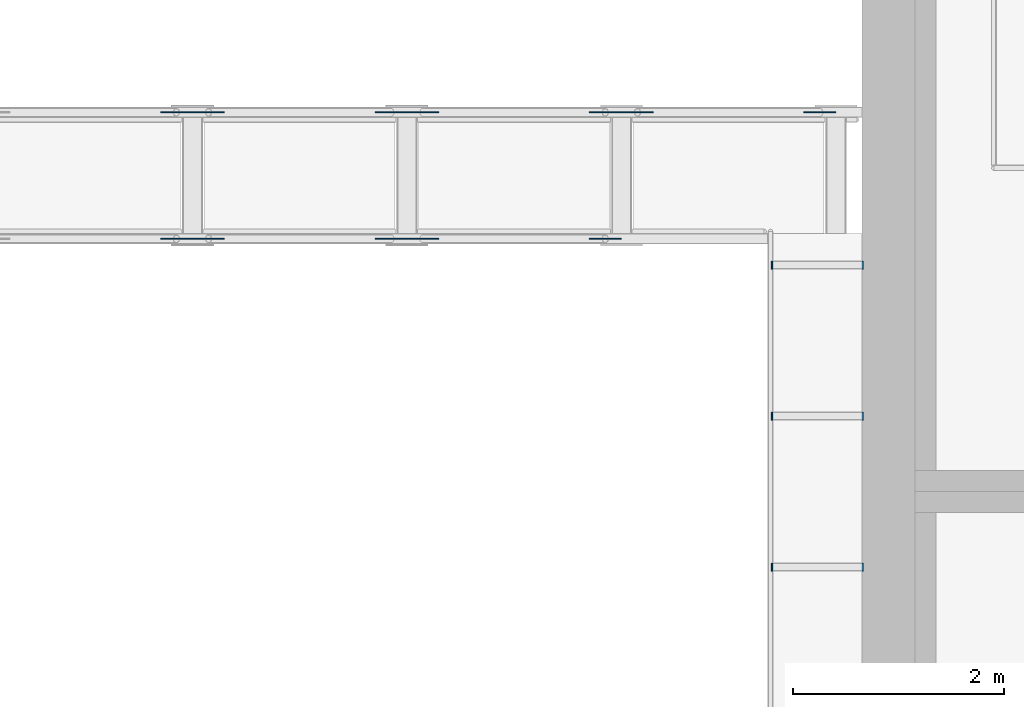
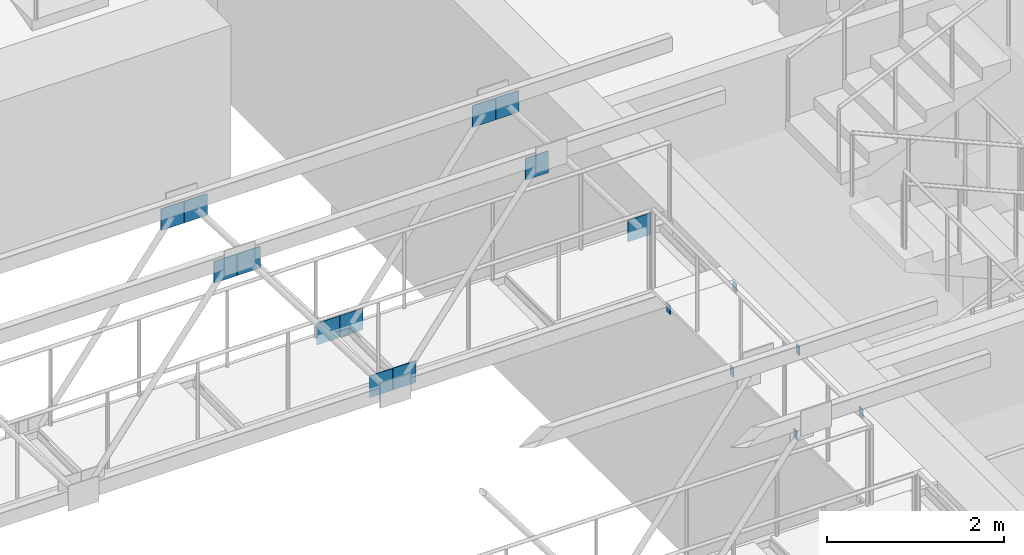
# One storey, part 48 of 70: 18 discrete accessories.
"""IFC4 building model written with IfcOpenShell, lengths in metres."""

from ifc_helpers import new_model, si_unit, direction, frame, origin, origin_2d, place, context, subcontext, project, spatial, rectangle, extrude, material, material_profile, profile_set, type_object, element, save


model = new_model("IFC4")

# Units and contexts
model_context = context("Model", 3, precision=1e-05, world=origin(), true_north=direction((0.0, 1.0)))
body_context = subcontext(model_context, "Body", "Model", "MODEL_VIEW")
ifc_project = project(units=[si_unit("LENGTHUNIT", "METRE"), si_unit("AREAUNIT", "SQUARE_METRE"), si_unit("VOLUMEUNIT", "CUBIC_METRE"), si_unit("PLANEANGLEUNIT", "RADIAN"), si_unit("MASSUNIT", "GRAM", prefix="KILO")], contexts=[model_context])

# Site, building, storey
site_placement = place(None, origin())
site = spatial("IfcSite", under=ifc_project, at=site_placement, CompositionType="ELEMENT")
building_placement = place(site_placement, origin())
building = spatial("IfcBuilding", under=site, at=building_placement, Name="Saffron Lane Theatres", CompositionType="ELEMENT")
storey_placement = place(building_placement, frame((0.0, 0.0, 12.0)))
storey = spatial("IfcBuildingStorey", under=building, at=storey_placement, Name="L02", CompositionType="ELEMENT", Elevation=12.0)

# Discrete accessories
ifc_material_1 = material(Name="Steel Grade 350", Category="steel")
ifc_material_profile_1 = material_profile(ifc_material_1, rectangle(XDim=0.300048828125, YDim=0.300048828125, at=origin_2d()))
ifc_profile_set_1 = profile_set([ifc_material_profile_1], Name="Steel Grade 350")
discrete_accessory_type_1 = type_object("IfcDiscreteAccessoryType", Name="ST-GUSSET CONNECTION PLATE", PredefinedType="BRACKET", material=ifc_profile_set_1)
for number, where, z_axis, x_axis, name in (
    (1, (40.990234375, 68.39501953125, 6.777099609375), (0.0, 1.0, 0.0), (-1.0, 0.0, 0.0), "GB544"),
    (2, (41.295654296875, 68.39501953125, 6.777099609375), (0.0, 1.0, 0.0), (-1.0, 0.0, 0.0), "GB545"),
    (3, (43.02587890625, 68.39501953125, 4.48291015625), (0.0, 1.0, 0.0), (-1.0, 0.0, 0.0), "GB546"),
    (4, (43.331298828125, 68.39501953125, 4.48291015625), (0.0, 1.0, 0.0), (-1.0, 0.0, 0.0), "GB547"),
    (5, (45.0615234375, 68.39501953125, 6.777099609375), (0.0, 1.0, 0.0), (-1.0, 0.0, 0.0), "GB548"),
    (6, (40.990234375, 69.594970703125, 6.777099609375), (0.0, 1.0, 0.0), (-1.0, 0.0, 0.0), "GB570"),
    (7, (41.295654296875, 69.594970703125, 6.777099609375), (0.0, 1.0, 0.0), (-1.0, 0.0, 0.0), "GB571"),
    (8, (43.02587890625, 69.594970703125, 4.48291015625), (0.0, 1.0, 0.0), (-1.0, 0.0, 0.0), "GB572"),
    (9, (43.331298828125, 69.594970703125, 4.48291015625), (0.0, 1.0, 0.0), (-1.0, 0.0, 0.0), "GB573"),
    (10, (45.0615234375, 69.594970703125, 6.777099609375), (0.0, 1.0, 0.0), (-1.0, 0.0, 0.0), "GB574"),
    (11, (45.366943359375, 69.594970703125, 6.777099609375), (0.0, 1.0, 0.0), (-1.0, 0.0, 0.0), "GB575"),
    (12, (47.097412109375, 69.594970703125, 4.48291015625), (0.0, 1.0, 0.0), (-1.0, 0.0, 0.0), "GB576"),
):
    element("IfcDiscreteAccessory", number, at=place(storey_placement, frame(where, z_axis=z_axis, x_axis=x_axis)), inside=storey, type_object=discrete_accessory_type_1, Name=name, PredefinedType="BRACKET", context=body_context, shape_type="SweptSolid", body=[
        extrude(rectangle(XDim=0.300048828125, YDim=0.300048828125, at=origin_2d()), origin(), (0.0, 0.0, 1.0), 0.010009765625),
    ])
ifc_material_2 = material(Name="Steel Grade 350", Category="steel")
ifc_material_profile_2 = material_profile(ifc_material_2, rectangle(XDim=0.074951171875, YDim=0.125, at=origin_2d()))
ifc_profile_set_2 = profile_set([ifc_material_profile_2], Name="Steel Grade 350")
discrete_accessory_type_2 = type_object("IfcDiscreteAccessoryType", Name="ST-STEEL END CAP 125x75x5 RHS", PredefinedType="ANCHORPLATE", material=ifc_profile_set_2)
for number, where, z_axis, x_axis, name in (
    (13, (46.637939453125, 65.283447265625, 4.3974609375), (1.0, 0.0, 0.0), (0.0, 1.0, 0.0), "EC637"),
    (14, (47.5, 65.283447265625, 4.3974609375), (1.0, 0.0, 0.0), (0.0, 1.0, 0.0), "EC638"),
    (15, (46.637939453125, 66.716552734375, 4.3974609375), (1.0, 0.0, 0.0), (0.0, 1.0, 0.0), "EC639"),
    (16, (47.5, 66.716552734375, 4.3974609375), (1.0, 0.0, 0.0), (0.0, 1.0, 0.0), "EC640"),
    (17, (46.637939453125, 68.14990234375, 4.3974609375), (1.0, 0.0, 0.0), (0.0, 1.0, 0.0), "EC641"),
    (18, (47.5, 68.14990234375, 4.3974609375), (1.0, 0.0, 0.0), (0.0, 1.0, 0.0), "EC642"),
):
    element("IfcDiscreteAccessory", number, at=place(storey_placement, frame(where, z_axis=z_axis, x_axis=x_axis)), inside=storey, type_object=discrete_accessory_type_2, Name=name, PredefinedType="ANCHORPLATE", context=body_context, shape_type="SweptSolid", body=[
        extrude(rectangle(XDim=0.074951171875, YDim=0.125, at=origin_2d()), origin(), (0.0, 0.0, 1.0), 0.011962890625),
    ])

save(model, "model.ifc")
